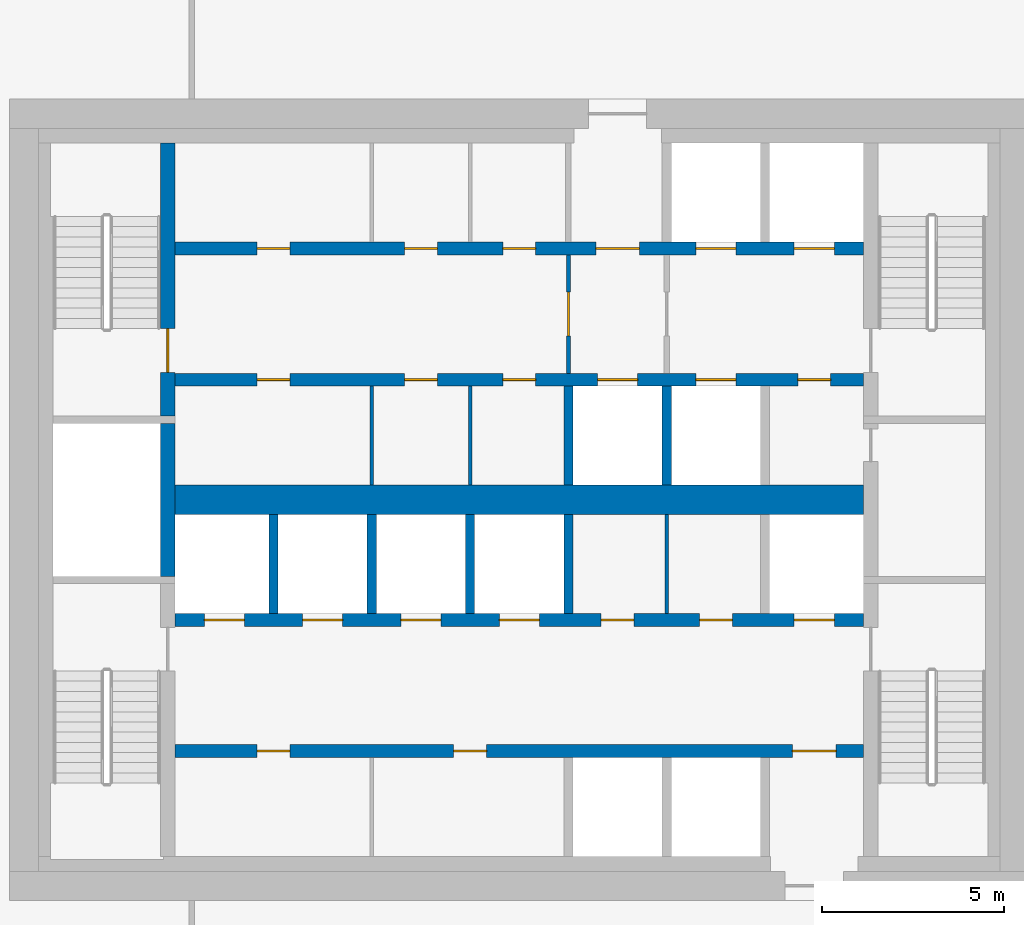
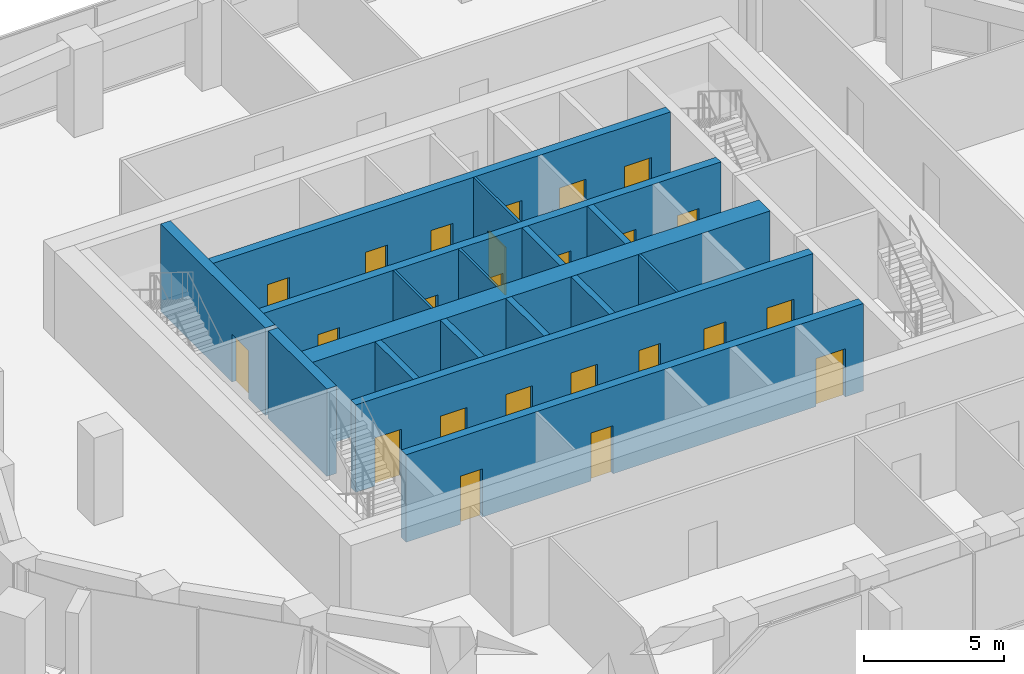
# One storey, part 12 of 18: 24 doors, 17 walls, 24 openings.
"""IFC4 building model written with IfcOpenShell, lengths in metres."""

from ifc_helpers import new_model, si_unit, direction, frame, frame_2d, origin, place, context, subcontext, project, spatial, rectangle, extrude, material, layer, layer_set, type_object, element, fill, save


model = new_model("IFC4")

# Units and contexts
model_context = context("Model", 3, precision=1e-05, world=origin(), true_north=direction((0.0, 1.0)))
body_context = subcontext(model_context, "Body", "Model", "MODEL_VIEW")
ifc_project = project(units=[si_unit("LENGTHUNIT", "METRE"), si_unit("AREAUNIT", "SQUARE_METRE"), si_unit("VOLUMEUNIT", "CUBIC_METRE"), si_unit("PLANEANGLEUNIT", "RADIAN"), si_unit("MASSUNIT", "GRAM", prefix="KILO")], contexts=[model_context])

# Site, building, storey
site_placement = place(None, origin())
site = spatial("IfcSite", under=ifc_project, at=site_placement, CompositionType="ELEMENT")
building_placement = place(site_placement, origin())
building = spatial("IfcBuilding", under=site, at=building_placement, Name="Dongbaek Canopy Tower", CompositionType="ELEMENT")
storey_placement = place(building_placement, frame((0.0, 0.0, 162.800048828125)))
storey = spatial("IfcBuildingStorey", under=building, at=storey_placement, Name="L35", CompositionType="ELEMENT", Elevation=162.800048828125)

# Wall
ifc_material_1 = material(Name="Concrete C60/75", Category="concrete")
ifc_layer_1 = layer(ifc_material_1, 0.800048828125)
ifc_layer_set_1 = layer_set([ifc_layer_1], Name="Core central wall 800 Concrete C60/75")
wall_type_1 = type_object("IfcWallType", Name="Core central wall 800 Concrete C60/75", PredefinedType="SHEAR", material=ifc_layer_set_1)
wall_1_placement = place(storey_placement, frame((-9.449951171875, 0.0, 0.0), z_axis=(0.0, 0.0, 1.0), x_axis=(1.0, 0.0, 0.0)))
element("IfcWall", 1, at=wall_1_placement, inside=storey, type_object=wall_type_1, Name="Core wall", PredefinedType="SHEAR", context=body_context, shape_type="SweptSolid", body=[
    extrude(rectangle(XDim=18.89990234375, YDim=0.800048828125, at=frame_2d((9.449951171875, 0.0))), origin(), (0.0, 0.0, 1.0), 3.820068359375),
])

# Wall, openings, doors
ifc_material_2 = material(Name="Concrete C60/75", Category="concrete")
ifc_layer_2 = layer(ifc_material_2, 0.35009765625)
ifc_layer_set_2 = layer_set([ifc_layer_2], Name="Core lobby wall 350 Concrete C60/75")
wall_type_2 = type_object("IfcWallType", Name="Core lobby wall 350 Concrete C60/75", PredefinedType="SHEAR", material=ifc_layer_set_2)
wall_2_placement = place(storey_placement, frame((-9.449951171875, 6.89990234375, 0.0), z_axis=(0.0, 0.0, 1.0), x_axis=(1.0, 0.0, 0.0)))
wall_2 = element("IfcWall", 2, at=wall_2_placement, inside=storey, type_object=wall_type_2, Name="Core wall", PredefinedType="SHEAR", context=body_context, shape_type="SweptSolid", body=[
    extrude(rectangle(XDim=18.89990234375, YDim=0.35009765625, at=frame_2d((9.449951171875, 0.0))), origin(), (0.0, 0.0, 1.0), 3.820068359375),
])
opening_1_placement = place(wall_2_placement, frame((11.550048828125, 0.0, 0.0)))
opening_1 = element("IfcOpeningElement", 3, at=opening_1_placement, cuts=wall_2, Name="Opening L35-D012", PredefinedType="OPENING", context=body_context, shape_type="SweptSolid", body=[
    extrude(rectangle(XDim=1.199951171875, YDim=2.10009765625, at=frame_2d((0.60009765625, 1.050048828125))), frame((0.0, 0.18505859375, 0.0), z_axis=(0.0, -1.0, 0.0), x_axis=(1.0, 0.0, 0.0)), (0.0, 0.0, 1.0), 0.3701171875),
])
opening_2_placement = place(wall_2_placement, frame((14.300048828125, 0.0, 0.0)))
opening_2 = element("IfcOpeningElement", 4, at=opening_2_placement, cuts=wall_2, Name="Opening L35-D013", PredefinedType="OPENING", context=body_context, shape_type="SweptSolid", body=[
    extrude(rectangle(XDim=1.10009765625, YDim=2.10009765625, at=frame_2d((0.550048828125, 1.050048828125))), frame((0.0, 0.18505859375, 0.0), z_axis=(0.0, -1.0, 0.0), x_axis=(1.0, 0.0, 0.0)), (0.0, 0.0, 1.0), 0.3701171875),
])
opening_3_placement = place(wall_2_placement, frame((17.0, 0.0, 0.0)))
opening_3 = element("IfcOpeningElement", 5, at=opening_3_placement, cuts=wall_2, Name="Opening L35-D014", PredefinedType="OPENING", context=body_context, shape_type="SweptSolid", body=[
    extrude(rectangle(XDim=1.10009765625, YDim=2.10009765625, at=frame_2d((0.550048828125, 1.050048828125))), frame((0.0, 0.18505859375, 0.0), z_axis=(0.0, -1.0, 0.0), x_axis=(1.0, 0.0, 0.0)), (0.0, 0.0, 1.0), 0.3701171875),
])
opening_4_placement = place(wall_2_placement, frame((2.25, 0.0, 0.0)))
opening_4 = element("IfcOpeningElement", 6, at=opening_4_placement, cuts=wall_2, Name="Opening L35-D025", PredefinedType="OPENING", context=body_context, shape_type="SweptSolid", body=[
    extrude(rectangle(XDim=0.89990234375, YDim=2.10009765625, at=frame_2d((0.449951171875, 1.050048828125))), frame((0.0, 0.18505859375, 0.0), z_axis=(0.0, -1.0, 0.0), x_axis=(1.0, 0.0, 0.0)), (0.0, 0.0, 1.0), 0.3701171875),
])
opening_5_placement = place(wall_2_placement, frame((6.300048828125, 0.0, 0.0)))
opening_5 = element("IfcOpeningElement", 7, at=opening_5_placement, cuts=wall_2, Name="Opening L35-D026", PredefinedType="OPENING", context=body_context, shape_type="SweptSolid", body=[
    extrude(rectangle(XDim=0.89990234375, YDim=2.10009765625, at=frame_2d((0.449951171875, 1.050048828125))), frame((0.0, 0.18505859375, 0.0), z_axis=(0.0, -1.0, 0.0), x_axis=(1.0, 0.0, 0.0)), (0.0, 0.0, 1.0), 0.3701171875),
])
opening_6_placement = place(wall_2_placement, frame((9.0, 0.0, 0.0)))
opening_6 = element("IfcOpeningElement", 8, at=opening_6_placement, cuts=wall_2, Name="Opening L35-D027", PredefinedType="OPENING", context=body_context, shape_type="SweptSolid", body=[
    extrude(rectangle(XDim=0.89990234375, YDim=2.10009765625, at=frame_2d((0.449951171875, 1.050048828125))), frame((0.0, 0.18505859375, 0.0), z_axis=(0.0, -1.0, 0.0), x_axis=(1.0, 0.0, 0.0)), (0.0, 0.0, 1.0), 0.3701171875),
])
ifc_material_3 = material(Name="Steel", Category="steel")
door_type_1 = type_object("IfcDoorType", Name="Core room door 900 x 2100", OperationType="SINGLE_SWING_LEFT", PredefinedType="DOOR", material=ifc_material_3)
door_1_placement = place(opening_4_placement, origin())
door_1 = element("IfcDoor", 9, at=door_1_placement, inside=storey, type_object=door_type_1, Name="Door L35-D025", OperationType="SINGLE_SWING_RIGHT", OverallHeight=2.10009765625, OverallWidth=0.89990234375, PredefinedType="DOOR", context=body_context, shape_type="SweptSolid", body=[
    extrude(rectangle(XDim=0.89990234375, YDim=2.10009765625, at=frame_2d((0.449951171875, 1.050048828125))), frame((0.0, 0.02490234375, 0.0), z_axis=(0.0, -1.0, 0.0), x_axis=(1.0, 0.0, 0.0)), (0.0, 0.0, 1.0), 0.050048828125),
])
fill(opening_4, door_1)
door_2_placement = place(opening_5_placement, origin())
door_2 = element("IfcDoor", 10, at=door_2_placement, inside=storey, type_object=door_type_1, Name="Door L35-D026", OperationType="SINGLE_SWING_LEFT", OverallHeight=2.10009765625, OverallWidth=0.89990234375, PredefinedType="DOOR", context=body_context, shape_type="SweptSolid", body=[
    extrude(rectangle(XDim=0.89990234375, YDim=2.10009765625, at=frame_2d((0.449951171875, 1.050048828125))), frame((0.0, 0.02490234375, 0.0), z_axis=(0.0, -1.0, 0.0), x_axis=(1.0, 0.0, 0.0)), (0.0, 0.0, 1.0), 0.050048828125),
])
fill(opening_5, door_2)
door_3_placement = place(opening_6_placement, origin())
door_3 = element("IfcDoor", 11, at=door_3_placement, inside=storey, type_object=door_type_1, Name="Door L35-D027", OperationType="SINGLE_SWING_RIGHT", OverallHeight=2.10009765625, OverallWidth=0.89990234375, PredefinedType="DOOR", context=body_context, shape_type="SweptSolid", body=[
    extrude(rectangle(XDim=0.89990234375, YDim=2.10009765625, at=frame_2d((0.449951171875, 1.050048828125))), frame((0.0, 0.02490234375, 0.0), z_axis=(0.0, -1.0, 0.0), x_axis=(1.0, 0.0, 0.0)), (0.0, 0.0, 1.0), 0.050048828125),
])
fill(opening_6, door_3)
ifc_material_4 = material(Name="Steel", Category="steel")
door_type_2 = type_object("IfcDoorType", Name="Fire lobby door 1200 x 2100", OperationType="SINGLE_SWING_LEFT", PredefinedType="DOOR", material=ifc_material_4)
door_4_placement = place(opening_1_placement, origin())
door_4 = element("IfcDoor", 12, at=door_4_placement, inside=storey, type_object=door_type_2, Name="Door L35-D012", OperationType="SINGLE_SWING_LEFT", OverallHeight=2.10009765625, OverallWidth=1.199951171875, PredefinedType="DOOR", context=body_context, shape_type="SweptSolid", body=[
    extrude(rectangle(XDim=1.199951171875, YDim=2.10009765625, at=frame_2d((0.60009765625, 1.050048828125))), frame((0.0, 0.02490234375, 0.0), z_axis=(0.0, -1.0, 0.0), x_axis=(1.0, 0.0, 0.0)), (0.0, 0.0, 1.0), 0.050048828125),
])
fill(opening_1, door_4)
ifc_material_5 = material(Name="Stainless steel", Category="steel")
door_type_3 = type_object("IfcDoorType", Name="Lift landing door 1100 x 2100", OperationType="DOUBLE_DOOR_SLIDING", PredefinedType="DOOR", material=ifc_material_5)
door_5_placement = place(opening_2_placement, origin())
door_5 = element("IfcDoor", 13, at=door_5_placement, inside=storey, type_object=door_type_3, Name="Landing door FF1", OperationType="DOUBLE_DOOR_SLIDING", OverallHeight=2.10009765625, OverallWidth=1.10009765625, PredefinedType="DOOR", context=body_context, shape_type="SweptSolid", body=[
    extrude(rectangle(XDim=1.10009765625, YDim=2.10009765625, at=frame_2d((0.550048828125, 1.050048828125))), frame((0.0, 0.02490234375, 0.0), z_axis=(0.0, -1.0, 0.0), x_axis=(1.0, 0.0, 0.0)), (0.0, 0.0, 1.0), 0.050048828125),
])
fill(opening_2, door_5)
door_6_placement = place(opening_3_placement, origin())
door_6 = element("IfcDoor", 14, at=door_6_placement, inside=storey, type_object=door_type_3, Name="Landing door FF2", OperationType="DOUBLE_DOOR_SLIDING", OverallHeight=2.10009765625, OverallWidth=1.10009765625, PredefinedType="DOOR", context=body_context, shape_type="SweptSolid", body=[
    extrude(rectangle(XDim=1.10009765625, YDim=2.10009765625, at=frame_2d((0.550048828125, 1.050048828125))), frame((0.0, 0.02490234375, 0.0), z_axis=(0.0, -1.0, 0.0), x_axis=(1.0, 0.0, 0.0)), (0.0, 0.0, 1.0), 0.050048828125),
])
fill(opening_3, door_6)

wall_3_placement = place(storey_placement, frame((9.449951171875, 3.300048828125, 0.0), z_axis=(0.0, 0.0, 1.0), x_axis=(-1.0, 0.0, 0.0)))
wall_3 = element("IfcWall", 15, at=wall_3_placement, inside=storey, type_object=wall_type_2, Name="Core wall", PredefinedType="SHEAR", context=body_context, shape_type="SweptSolid", body=[
    extrude(rectangle(XDim=18.89990234375, YDim=0.35009765625, at=frame_2d((9.449951171875, 0.0))), origin(), (0.0, 0.0, 1.0), 3.820068359375),
])
opening_7_placement = place(wall_3_placement, frame((6.199951171875, 0.0, 0.0)))
opening_7 = element("IfcOpeningElement", 16, at=opening_7_placement, cuts=wall_3, Name="Opening L35-D015", PredefinedType="OPENING", context=body_context, shape_type="SweptSolid", body=[
    extrude(rectangle(XDim=1.10009765625, YDim=2.10009765625, at=frame_2d((0.550048828125, 1.050048828125))), frame((0.0, 0.18505859375, 0.0), z_axis=(0.0, -1.0, 0.0), x_axis=(1.0, 0.0, 0.0)), (0.0, 0.0, 1.0), 0.3701171875),
])
opening_8_placement = place(wall_3_placement, frame((3.5, 0.0, 0.0)))
opening_8 = element("IfcOpeningElement", 17, at=opening_8_placement, cuts=wall_3, Name="Opening L35-D016", PredefinedType="OPENING", context=body_context, shape_type="SweptSolid", body=[
    extrude(rectangle(XDim=1.10009765625, YDim=2.10009765625, at=frame_2d((0.550048828125, 1.050048828125))), frame((0.0, 0.18505859375, 0.0), z_axis=(0.0, -1.0, 0.0), x_axis=(1.0, 0.0, 0.0)), (0.0, 0.0, 1.0), 0.3701171875),
])
opening_9_placement = place(wall_3_placement, frame((0.89990234375, 0.0, 0.0)))
opening_9 = element("IfcOpeningElement", 18, at=opening_9_placement, cuts=wall_3, Name="Opening L35-D017", PredefinedType="OPENING", context=body_context, shape_type="SweptSolid", body=[
    extrude(rectangle(XDim=0.89990234375, YDim=2.10009765625, at=frame_2d((0.449951171875, 1.050048828125))), frame((0.0, 0.18505859375, 0.0), z_axis=(0.0, -1.0, 0.0), x_axis=(1.0, 0.0, 0.0)), (0.0, 0.0, 1.0), 0.3701171875),
])
opening_10_placement = place(wall_3_placement, frame((15.75, 0.0, 0.0)))
opening_10 = element("IfcOpeningElement", 19, at=opening_10_placement, cuts=wall_3, Name="Opening L35-D028", PredefinedType="OPENING", context=body_context, shape_type="SweptSolid", body=[
    extrude(rectangle(XDim=0.89990234375, YDim=2.10009765625, at=frame_2d((0.449951171875, 1.050048828125))), frame((0.0, 0.18505859375, 0.0), z_axis=(0.0, -1.0, 0.0), x_axis=(1.0, 0.0, 0.0)), (0.0, 0.0, 1.0), 0.3701171875),
])
opening_11_placement = place(wall_3_placement, frame((11.699951171875, 0.0, 0.0)))
opening_11 = element("IfcOpeningElement", 20, at=opening_11_placement, cuts=wall_3, Name="Opening L35-D029", PredefinedType="OPENING", context=body_context, shape_type="SweptSolid", body=[
    extrude(rectangle(XDim=0.89990234375, YDim=2.10009765625, at=frame_2d((0.449951171875, 1.050048828125))), frame((0.0, 0.18505859375, 0.0), z_axis=(0.0, -1.0, 0.0), x_axis=(1.0, 0.0, 0.0)), (0.0, 0.0, 1.0), 0.3701171875),
])
opening_12_placement = place(wall_3_placement, frame((9.0, 0.0, 0.0)))
opening_12 = element("IfcOpeningElement", 21, at=opening_12_placement, cuts=wall_3, Name="Opening L35-D030", PredefinedType="OPENING", context=body_context, shape_type="SweptSolid", body=[
    extrude(rectangle(XDim=0.89990234375, YDim=2.10009765625, at=frame_2d((0.449951171875, 1.050048828125))), frame((0.0, 0.18505859375, 0.0), z_axis=(0.0, -1.0, 0.0), x_axis=(1.0, 0.0, 0.0)), (0.0, 0.0, 1.0), 0.3701171875),
])
door_7_placement = place(opening_9_placement, origin())
door_7 = element("IfcDoor", 22, at=door_7_placement, inside=storey, type_object=door_type_1, Name="Door L35-D017", OperationType="SINGLE_SWING_LEFT", OverallHeight=2.10009765625, OverallWidth=0.89990234375, PredefinedType="DOOR", context=body_context, shape_type="SweptSolid", body=[
    extrude(rectangle(XDim=0.89990234375, YDim=2.10009765625, at=frame_2d((0.449951171875, 1.050048828125))), frame((0.0, 0.02490234375, 0.0), z_axis=(0.0, -1.0, 0.0), x_axis=(1.0, 0.0, 0.0)), (0.0, 0.0, 1.0), 0.050048828125),
])
fill(opening_9, door_7)
door_8_placement = place(opening_10_placement, origin())
door_8 = element("IfcDoor", 23, at=door_8_placement, inside=storey, type_object=door_type_1, Name="Door L35-D028", OperationType="SINGLE_SWING_LEFT", OverallHeight=2.10009765625, OverallWidth=0.89990234375, PredefinedType="DOOR", context=body_context, shape_type="SweptSolid", body=[
    extrude(rectangle(XDim=0.89990234375, YDim=2.10009765625, at=frame_2d((0.449951171875, 1.050048828125))), frame((0.0, 0.02490234375, 0.0), z_axis=(0.0, -1.0, 0.0), x_axis=(1.0, 0.0, 0.0)), (0.0, 0.0, 1.0), 0.050048828125),
])
fill(opening_10, door_8)
door_9_placement = place(opening_11_placement, origin())
door_9 = element("IfcDoor", 24, at=door_9_placement, inside=storey, type_object=door_type_1, Name="Door L35-D029", OperationType="SINGLE_SWING_RIGHT", OverallHeight=2.10009765625, OverallWidth=0.89990234375, PredefinedType="DOOR", context=body_context, shape_type="SweptSolid", body=[
    extrude(rectangle(XDim=0.89990234375, YDim=2.10009765625, at=frame_2d((0.449951171875, 1.050048828125))), frame((0.0, 0.02490234375, 0.0), z_axis=(0.0, -1.0, 0.0), x_axis=(1.0, 0.0, 0.0)), (0.0, 0.0, 1.0), 0.050048828125),
])
fill(opening_11, door_9)
door_10_placement = place(opening_12_placement, origin())
door_10 = element("IfcDoor", 25, at=door_10_placement, inside=storey, type_object=door_type_1, Name="Door L35-D030", OperationType="SINGLE_SWING_LEFT", OverallHeight=2.10009765625, OverallWidth=0.89990234375, PredefinedType="DOOR", context=body_context, shape_type="SweptSolid", body=[
    extrude(rectangle(XDim=0.89990234375, YDim=2.10009765625, at=frame_2d((0.449951171875, 1.050048828125))), frame((0.0, 0.02490234375, 0.0), z_axis=(0.0, -1.0, 0.0), x_axis=(1.0, 0.0, 0.0)), (0.0, 0.0, 1.0), 0.050048828125),
])
fill(opening_12, door_10)
door_11_placement = place(opening_7_placement, origin())
door_11 = element("IfcDoor", 26, at=door_11_placement, inside=storey, type_object=door_type_3, Name="Landing door SV1", OperationType="DOUBLE_DOOR_SLIDING", OverallHeight=2.10009765625, OverallWidth=1.10009765625, PredefinedType="DOOR", context=body_context, shape_type="SweptSolid", body=[
    extrude(rectangle(XDim=1.10009765625, YDim=2.10009765625, at=frame_2d((0.550048828125, 1.050048828125))), frame((0.0, 0.02490234375, 0.0), z_axis=(0.0, -1.0, 0.0), x_axis=(1.0, 0.0, 0.0)), (0.0, 0.0, 1.0), 0.050048828125),
])
fill(opening_7, door_11)
door_12_placement = place(opening_8_placement, origin())
door_12 = element("IfcDoor", 27, at=door_12_placement, inside=storey, type_object=door_type_3, Name="Landing door FF3", OperationType="DOUBLE_DOOR_SLIDING", OverallHeight=2.10009765625, OverallWidth=1.10009765625, PredefinedType="DOOR", context=body_context, shape_type="SweptSolid", body=[
    extrude(rectangle(XDim=1.10009765625, YDim=2.10009765625, at=frame_2d((0.550048828125, 1.050048828125))), frame((0.0, 0.02490234375, 0.0), z_axis=(0.0, -1.0, 0.0), x_axis=(1.0, 0.0, 0.0)), (0.0, 0.0, 1.0), 0.050048828125),
])
fill(opening_8, door_12)

wall_4_placement = place(storey_placement, frame((-9.449951171875, -3.300048828125, 0.0), z_axis=(0.0, 0.0, 1.0), x_axis=(1.0, 0.0, 0.0)))
wall_4 = element("IfcWall", 28, at=wall_4_placement, inside=storey, type_object=wall_type_2, Name="Core wall", PredefinedType="SHEAR", context=body_context, shape_type="SweptSolid", body=[
    extrude(rectangle(XDim=18.89990234375, YDim=0.35009765625, at=frame_2d((9.449951171875, 0.0))), origin(), (0.0, 0.0, 1.0), 3.820068359375),
])
opening_13_placement = place(wall_4_placement, frame((0.800048828125, 0.0, 0.0)))
opening_13 = element("IfcOpeningElement", 29, at=opening_13_placement, cuts=wall_4, Name="Opening L35-D018", PredefinedType="OPENING", context=body_context, shape_type="SweptSolid", body=[
    extrude(rectangle(XDim=1.10009765625, YDim=2.10009765625, at=frame_2d((0.550048828125, 1.050048828125))), frame((0.0, 0.18505859375, 0.0), z_axis=(0.0, -1.0, 0.0), x_axis=(1.0, 0.0, 0.0)), (0.0, 0.0, 1.0), 0.3701171875),
])
opening_14_placement = place(wall_4_placement, frame((3.5, 0.0, 0.0)))
opening_14 = element("IfcOpeningElement", 30, at=opening_14_placement, cuts=wall_4, Name="Opening L35-D019", PredefinedType="OPENING", context=body_context, shape_type="SweptSolid", body=[
    extrude(rectangle(XDim=1.10009765625, YDim=2.10009765625, at=frame_2d((0.550048828125, 1.050048828125))), frame((0.0, 0.18505859375, 0.0), z_axis=(0.0, -1.0, 0.0), x_axis=(1.0, 0.0, 0.0)), (0.0, 0.0, 1.0), 0.3701171875),
])
opening_15_placement = place(wall_4_placement, frame((6.199951171875, 0.0, 0.0)))
opening_15 = element("IfcOpeningElement", 31, at=opening_15_placement, cuts=wall_4, Name="Opening L35-D020", PredefinedType="OPENING", context=body_context, shape_type="SweptSolid", body=[
    extrude(rectangle(XDim=1.10009765625, YDim=2.10009765625, at=frame_2d((0.550048828125, 1.050048828125))), frame((0.0, 0.18505859375, 0.0), z_axis=(0.0, -1.0, 0.0), x_axis=(1.0, 0.0, 0.0)), (0.0, 0.0, 1.0), 0.3701171875),
])
opening_16_placement = place(wall_4_placement, frame((8.89990234375, 0.0, 0.0)))
opening_16 = element("IfcOpeningElement", 32, at=opening_16_placement, cuts=wall_4, Name="Opening L35-D021", PredefinedType="OPENING", context=body_context, shape_type="SweptSolid", body=[
    extrude(rectangle(XDim=1.10009765625, YDim=2.10009765625, at=frame_2d((0.550048828125, 1.050048828125))), frame((0.0, 0.18505859375, 0.0), z_axis=(0.0, -1.0, 0.0), x_axis=(1.0, 0.0, 0.0)), (0.0, 0.0, 1.0), 0.3701171875),
])
opening_17_placement = place(wall_4_placement, frame((17.0, 0.0, 0.0)))
opening_17 = element("IfcOpeningElement", 33, at=opening_17_placement, cuts=wall_4, Name="Opening L35-D022", PredefinedType="OPENING", context=body_context, shape_type="SweptSolid", body=[
    extrude(rectangle(XDim=1.10009765625, YDim=2.10009765625, at=frame_2d((0.550048828125, 1.050048828125))), frame((0.0, 0.18505859375, 0.0), z_axis=(0.0, -1.0, 0.0), x_axis=(1.0, 0.0, 0.0)), (0.0, 0.0, 1.0), 0.3701171875),
])
opening_18_placement = place(wall_4_placement, frame((11.699951171875, 0.0, 0.0)))
opening_18 = element("IfcOpeningElement", 34, at=opening_18_placement, cuts=wall_4, Name="Opening L35-D031", PredefinedType="OPENING", context=body_context, shape_type="SweptSolid", body=[
    extrude(rectangle(XDim=0.89990234375, YDim=2.10009765625, at=frame_2d((0.449951171875, 1.050048828125))), frame((0.0, 0.18505859375, 0.0), z_axis=(0.0, -1.0, 0.0), x_axis=(1.0, 0.0, 0.0)), (0.0, 0.0, 1.0), 0.3701171875),
])
opening_19_placement = place(wall_4_placement, frame((14.39990234375, 0.0, 0.0)))
opening_19 = element("IfcOpeningElement", 35, at=opening_19_placement, cuts=wall_4, Name="Opening L35-D032", PredefinedType="OPENING", context=body_context, shape_type="SweptSolid", body=[
    extrude(rectangle(XDim=0.89990234375, YDim=2.10009765625, at=frame_2d((0.449951171875, 1.050048828125))), frame((0.0, 0.18505859375, 0.0), z_axis=(0.0, -1.0, 0.0), x_axis=(1.0, 0.0, 0.0)), (0.0, 0.0, 1.0), 0.3701171875),
])
door_13_placement = place(opening_18_placement, origin())
door_13 = element("IfcDoor", 36, at=door_13_placement, inside=storey, type_object=door_type_1, Name="Door L35-D031", OperationType="SINGLE_SWING_RIGHT", OverallHeight=2.10009765625, OverallWidth=0.89990234375, PredefinedType="DOOR", context=body_context, shape_type="SweptSolid", body=[
    extrude(rectangle(XDim=0.89990234375, YDim=2.10009765625, at=frame_2d((0.449951171875, 1.050048828125))), frame((0.0, 0.02490234375, 0.0), z_axis=(0.0, -1.0, 0.0), x_axis=(1.0, 0.0, 0.0)), (0.0, 0.0, 1.0), 0.050048828125),
])
fill(opening_18, door_13)
door_14_placement = place(opening_19_placement, origin())
door_14 = element("IfcDoor", 37, at=door_14_placement, inside=storey, type_object=door_type_1, Name="Door L35-D032", OperationType="SINGLE_SWING_LEFT", OverallHeight=2.10009765625, OverallWidth=0.89990234375, PredefinedType="DOOR", context=body_context, shape_type="SweptSolid", body=[
    extrude(rectangle(XDim=0.89990234375, YDim=2.10009765625, at=frame_2d((0.449951171875, 1.050048828125))), frame((0.0, 0.02490234375, 0.0), z_axis=(0.0, -1.0, 0.0), x_axis=(1.0, 0.0, 0.0)), (0.0, 0.0, 1.0), 0.050048828125),
])
fill(opening_19, door_14)
door_15_placement = place(opening_13_placement, origin())
door_15 = element("IfcDoor", 38, at=door_15_placement, inside=storey, type_object=door_type_3, Name="Landing door MR1", OperationType="DOUBLE_DOOR_SLIDING", OverallHeight=2.10009765625, OverallWidth=1.10009765625, PredefinedType="DOOR", context=body_context, shape_type="SweptSolid", body=[
    extrude(rectangle(XDim=1.10009765625, YDim=2.10009765625, at=frame_2d((0.550048828125, 1.050048828125))), frame((0.0, 0.02490234375, 0.0), z_axis=(0.0, -1.0, 0.0), x_axis=(1.0, 0.0, 0.0)), (0.0, 0.0, 1.0), 0.050048828125),
])
fill(opening_13, door_15)
door_16_placement = place(opening_14_placement, origin())
door_16 = element("IfcDoor", 39, at=door_16_placement, inside=storey, type_object=door_type_3, Name="Landing door MR2", OperationType="DOUBLE_DOOR_SLIDING", OverallHeight=2.10009765625, OverallWidth=1.10009765625, PredefinedType="DOOR", context=body_context, shape_type="SweptSolid", body=[
    extrude(rectangle(XDim=1.10009765625, YDim=2.10009765625, at=frame_2d((0.550048828125, 1.050048828125))), frame((0.0, 0.02490234375, 0.0), z_axis=(0.0, -1.0, 0.0), x_axis=(1.0, 0.0, 0.0)), (0.0, 0.0, 1.0), 0.050048828125),
])
fill(opening_14, door_16)
door_17_placement = place(opening_15_placement, origin())
door_17 = element("IfcDoor", 40, at=door_17_placement, inside=storey, type_object=door_type_3, Name="Landing door MR3", OperationType="DOUBLE_DOOR_SLIDING", OverallHeight=2.10009765625, OverallWidth=1.10009765625, PredefinedType="DOOR", context=body_context, shape_type="SweptSolid", body=[
    extrude(rectangle(XDim=1.10009765625, YDim=2.10009765625, at=frame_2d((0.550048828125, 1.050048828125))), frame((0.0, 0.02490234375, 0.0), z_axis=(0.0, -1.0, 0.0), x_axis=(1.0, 0.0, 0.0)), (0.0, 0.0, 1.0), 0.050048828125),
])
fill(opening_15, door_17)
door_18_placement = place(opening_16_placement, origin())
door_18 = element("IfcDoor", 41, at=door_18_placement, inside=storey, type_object=door_type_3, Name="Landing door MR4", OperationType="DOUBLE_DOOR_SLIDING", OverallHeight=2.10009765625, OverallWidth=1.10009765625, PredefinedType="DOOR", context=body_context, shape_type="SweptSolid", body=[
    extrude(rectangle(XDim=1.10009765625, YDim=2.10009765625, at=frame_2d((0.550048828125, 1.050048828125))), frame((0.0, 0.02490234375, 0.0), z_axis=(0.0, -1.0, 0.0), x_axis=(1.0, 0.0, 0.0)), (0.0, 0.0, 1.0), 0.050048828125),
])
fill(opening_16, door_18)
door_19_placement = place(opening_17_placement, origin())
door_19 = element("IfcDoor", 42, at=door_19_placement, inside=storey, type_object=door_type_3, Name="Landing door SV2", OperationType="DOUBLE_DOOR_SLIDING", OverallHeight=2.10009765625, OverallWidth=1.10009765625, PredefinedType="DOOR", context=body_context, shape_type="SweptSolid", body=[
    extrude(rectangle(XDim=1.10009765625, YDim=2.10009765625, at=frame_2d((0.550048828125, 1.050048828125))), frame((0.0, 0.02490234375, 0.0), z_axis=(0.0, -1.0, 0.0), x_axis=(1.0, 0.0, 0.0)), (0.0, 0.0, 1.0), 0.050048828125),
])
fill(opening_17, door_19)

wall_5_placement = place(storey_placement, frame((9.449951171875, -6.89990234375, 0.0), z_axis=(0.0, 0.0, 1.0), x_axis=(-1.0, 0.0, 0.0)))
wall_5 = element("IfcWall", 43, at=wall_5_placement, inside=storey, type_object=wall_type_2, Name="Core wall", PredefinedType="SHEAR", context=body_context, shape_type="SweptSolid", body=[
    extrude(rectangle(XDim=18.89990234375, YDim=0.35009765625, at=frame_2d((9.449951171875, 0.0))), origin(), (0.0, 0.0, 1.0), 3.820068359375),
])
opening_20_placement = place(wall_5_placement, frame((0.75, 0.0, 0.0)))
opening_20 = element("IfcOpeningElement", 44, at=opening_20_placement, cuts=wall_5, Name="Opening L35-D024", PredefinedType="OPENING", context=body_context, shape_type="SweptSolid", body=[
    extrude(rectangle(XDim=1.199951171875, YDim=2.10009765625, at=frame_2d((0.60009765625, 1.050048828125))), frame((0.0, 0.18505859375, 0.0), z_axis=(0.0, -1.0, 0.0), x_axis=(1.0, 0.0, 0.0)), (0.0, 0.0, 1.0), 0.3701171875),
])
opening_21_placement = place(wall_5_placement, frame((15.75, 0.0, 0.0)))
opening_21 = element("IfcOpeningElement", 45, at=opening_21_placement, cuts=wall_5, Name="Opening L35-D033", PredefinedType="OPENING", context=body_context, shape_type="SweptSolid", body=[
    extrude(rectangle(XDim=0.89990234375, YDim=2.10009765625, at=frame_2d((0.449951171875, 1.050048828125))), frame((0.0, 0.18505859375, 0.0), z_axis=(0.0, -1.0, 0.0), x_axis=(1.0, 0.0, 0.0)), (0.0, 0.0, 1.0), 0.3701171875),
])
opening_22_placement = place(wall_5_placement, frame((10.35009765625, 0.0, 0.0)))
opening_22 = element("IfcOpeningElement", 46, at=opening_22_placement, cuts=wall_5, Name="Opening L35-D034", PredefinedType="OPENING", context=body_context, shape_type="SweptSolid", body=[
    extrude(rectangle(XDim=0.89990234375, YDim=2.10009765625, at=frame_2d((0.449951171875, 1.050048828125))), frame((0.0, 0.18505859375, 0.0), z_axis=(0.0, -1.0, 0.0), x_axis=(1.0, 0.0, 0.0)), (0.0, 0.0, 1.0), 0.3701171875),
])
door_20_placement = place(opening_21_placement, origin())
door_20 = element("IfcDoor", 47, at=door_20_placement, inside=storey, type_object=door_type_1, Name="Door L35-D033", OperationType="SINGLE_SWING_RIGHT", OverallHeight=2.10009765625, OverallWidth=0.89990234375, PredefinedType="DOOR", context=body_context, shape_type="SweptSolid", body=[
    extrude(rectangle(XDim=0.89990234375, YDim=2.10009765625, at=frame_2d((0.449951171875, 1.050048828125))), frame((0.0, 0.02490234375, 0.0), z_axis=(0.0, -1.0, 0.0), x_axis=(1.0, 0.0, 0.0)), (0.0, 0.0, 1.0), 0.050048828125),
])
fill(opening_21, door_20)
door_21_placement = place(opening_22_placement, origin())
door_21 = element("IfcDoor", 48, at=door_21_placement, inside=storey, type_object=door_type_1, Name="Door L35-D034", OperationType="SINGLE_SWING_LEFT", OverallHeight=2.10009765625, OverallWidth=0.89990234375, PredefinedType="DOOR", context=body_context, shape_type="SweptSolid", body=[
    extrude(rectangle(XDim=0.89990234375, YDim=2.10009765625, at=frame_2d((0.449951171875, 1.050048828125))), frame((0.0, 0.02490234375, 0.0), z_axis=(0.0, -1.0, 0.0), x_axis=(1.0, 0.0, 0.0)), (0.0, 0.0, 1.0), 0.050048828125),
])
fill(opening_22, door_21)
door_22_placement = place(opening_20_placement, origin())
door_22 = element("IfcDoor", 49, at=door_22_placement, inside=storey, type_object=door_type_2, Name="Door L35-D024", OperationType="SINGLE_SWING_LEFT", OverallHeight=2.10009765625, OverallWidth=1.199951171875, PredefinedType="DOOR", context=body_context, shape_type="SweptSolid", body=[
    extrude(rectangle(XDim=1.199951171875, YDim=2.10009765625, at=frame_2d((0.60009765625, 1.050048828125))), frame((0.0, 0.02490234375, 0.0), z_axis=(0.0, -1.0, 0.0), x_axis=(1.0, 0.0, 0.0)), (0.0, 0.0, 1.0), 0.050048828125),
])
fill(opening_20, door_22)

# Walls
ifc_material_6 = material(Name="Concrete C40/50", Category="concrete")
ifc_layer_3 = layer(ifc_material_6, 0.25)
ifc_layer_set_3 = layer_set([ifc_layer_3], Name="Lift shaft wall 250 Concrete C40/50")
wall_type_3 = type_object("IfcWallType", Name="Lift shaft wall 250 Concrete C40/50", PredefinedType="SOLIDWALL", material=ifc_layer_set_3)
for number, where, z_axis, x_axis, name in (
    (50, (4.050048828125, 0.39990234375, 0.0), (0.0, 0.0, 1.0), (0.0, 1.0, 0.0), "Lift shaft wall"),
    (51, (1.35009765625, -3.125, 0.0), (0.0, 0.0, 1.0), (0.0, 1.0, 0.0), "Lift shaft wall"),
    (52, (1.35009765625, 0.39990234375, 0.0), (0.0, 0.0, 1.0), (0.0, 1.0, 0.0), "Lift shaft wall"),
    (53, (-1.35009765625, -3.125, 0.0), (0.0, 0.0, 1.0), (0.0, 1.0, 0.0), "Lift shaft wall"),
    (54, (-4.050048828125, -3.125, 0.0), (0.0, 0.0, 1.0), (0.0, 1.0, 0.0), "Lift shaft wall"),
    (55, (-6.75, -3.125, 0.0), (0.0, 0.0, 1.0), (0.0, 1.0, 0.0), "Lift shaft wall"),
):
    element("IfcWall", number, at=place(storey_placement, frame(where, z_axis=z_axis, x_axis=x_axis)), inside=storey, type_object=wall_type_3, Name=name, PredefinedType="SOLIDWALL", context=body_context, shape_type="SweptSolid", body=[
        extrude(rectangle(XDim=2.72509765625, YDim=0.25, at=frame_2d((1.362548828125, 0.0))), origin(), (0.0, 0.0, 1.0), 3.820068359375),
    ])
ifc_material_7 = material(Name="Gypsum board partition, steel stud, 2 x 12.5 mm board", Category="steel")
ifc_layer_4 = layer(ifc_material_7, 0.10009765625)
ifc_layer_set_4 = layer_set([ifc_layer_4], Name="Partition 100 gypsum board")
wall_type_4 = type_object("IfcWallType", Name="Partition 100 gypsum board", PredefinedType="PARTITIONING", material=ifc_layer_set_4)
wall_6_placement = place(storey_placement, frame((4.050048828125, -3.125, 0.0), z_axis=(0.0, 0.0, 1.0), x_axis=(0.0, 1.0, 0.0)))
element("IfcWall", 56, at=wall_6_placement, inside=storey, type_object=wall_type_4, Name="Core partition", PredefinedType="PARTITIONING", context=body_context, shape_type="SweptSolid", body=[
    extrude(rectangle(XDim=2.72509765625, YDim=0.10009765625, at=frame_2d((1.362548828125, 0.0))), origin(), (0.0, 0.0, 1.0), 3.820068359375),
])

# Wall, opening, door
wall_7_placement = place(storey_placement, frame((1.35009765625, 6.72509765625, 0.0), z_axis=(0.0, 0.0, 1.0), x_axis=(0.0, -1.0, 0.0)))
wall_7 = element("IfcWall", 57, at=wall_7_placement, inside=storey, type_object=wall_type_4, Name="Core partition", PredefinedType="PARTITIONING", context=body_context, shape_type="SweptSolid", body=[
    extrude(rectangle(XDim=3.25, YDim=0.10009765625, at=frame_2d((1.625, 0.0))), origin(), (0.0, 0.0, 1.0), 3.820068359375),
])
opening_23_placement = place(wall_7_placement, frame((1.02490234375, 0.0, 0.0)))
opening_23 = element("IfcOpeningElement", 58, at=opening_23_placement, cuts=wall_7, Name="Opening L35-D039", PredefinedType="OPENING", context=body_context, shape_type="SweptSolid", body=[
    extrude(rectangle(XDim=1.199951171875, YDim=2.10009765625, at=frame_2d((0.60009765625, 1.050048828125))), frame((0.0, 0.06005859375, 0.0), z_axis=(0.0, -1.0, 0.0), x_axis=(1.0, 0.0, 0.0)), (0.0, 0.0, 1.0), 0.1201171875),
])
door_23_placement = place(opening_23_placement, origin())
door_23 = element("IfcDoor", 59, at=door_23_placement, inside=storey, type_object=door_type_2, Name="Door L35-D039", OperationType="SINGLE_SWING_LEFT", OverallHeight=2.10009765625, OverallWidth=1.199951171875, PredefinedType="DOOR", context=body_context, shape_type="SweptSolid", body=[
    extrude(rectangle(XDim=1.199951171875, YDim=2.10009765625, at=frame_2d((0.60009765625, 1.050048828125))), frame((0.0, 0.02490234375, 0.0), z_axis=(0.0, -1.0, 0.0), x_axis=(1.0, 0.0, 0.0)), (0.0, 0.0, 1.0), 0.050048828125),
])
fill(opening_23, door_23)

# Walls
for number, where, z_axis, x_axis, name in (
    (60, (-1.35009765625, 0.39990234375, 0.0), (0.0, 0.0, 1.0), (0.0, 1.0, 0.0), "Core partition"),
    (61, (-4.050048828125, 0.39990234375, 0.0), (0.0, 0.0, 1.0), (0.0, 1.0, 0.0), "Core partition"),
):
    element("IfcWall", number, at=place(storey_placement, frame(where, z_axis=z_axis, x_axis=x_axis)), inside=storey, type_object=wall_type_4, Name=name, PredefinedType="PARTITIONING", context=body_context, shape_type="SweptSolid", body=[
        extrude(rectangle(XDim=2.72509765625, YDim=0.10009765625, at=frame_2d((1.362548828125, 0.0))), origin(), (0.0, 0.0, 1.0), 3.820068359375),
    ])
ifc_material_8 = material(Name="Concrete C60/75", Category="concrete")
ifc_layer_5 = layer(ifc_material_8, 0.39990234375)
ifc_layer_set_5 = layer_set([ifc_layer_5], Name="Stair wall 400 Concrete C60/75")
wall_type_5 = type_object("IfcWallType", Name="Stair wall 400 Concrete C60/75", PredefinedType="SHEAR", material=ifc_layer_set_5)
wall_8_placement = place(storey_placement, frame((-9.64990234375, -2.10009765625, 0.0), z_axis=(0.0, 0.0, 1.0), x_axis=(0.0, 1.0, 0.0)))
element("IfcWall", 62, at=wall_8_placement, inside=storey, type_object=wall_type_5, Name="Stair wall", PredefinedType="SHEAR", context=body_context, shape_type="SweptSolid", body=[
    extrude(rectangle(XDim=4.2001953125, YDim=0.39990234375, at=frame_2d((2.10009765625, 0.0))), origin(), (0.0, 0.0, 1.0), 3.820068359375),
])

# Wall, opening, door
wall_9_placement = place(storey_placement, frame((-9.64990234375, 2.300048828125, 0.0), z_axis=(0.0, 0.0, 1.0), x_axis=(0.0, 1.0, 0.0)))
wall_9 = element("IfcWall", 63, at=wall_9_placement, inside=storey, type_object=wall_type_5, Name="Stair wall", PredefinedType="SHEAR", context=body_context, shape_type="SweptSolid", body=[
    extrude(rectangle(XDim=7.5, YDim=0.39990234375, at=frame_2d((3.75, 0.0))), origin(), (0.0, 0.0, 1.0), 3.820068359375),
])
opening_24_placement = place(wall_9_placement, frame((1.199951171875, 0.0, 0.0)))
opening_24 = element("IfcOpeningElement", 64, at=opening_24_placement, cuts=wall_9, Name="Opening L35-D036", PredefinedType="OPENING", context=body_context, shape_type="SweptSolid", body=[
    extrude(rectangle(XDim=1.199951171875, YDim=2.10009765625, at=frame_2d((0.60009765625, 1.050048828125))), frame((0.0, 0.2099609375, 0.0), z_axis=(0.0, -1.0, 0.0), x_axis=(1.0, 0.0, 0.0)), (0.0, 0.0, 1.0), 0.419921875),
])
ifc_material_9 = material(Name="Steel", Category="steel")
door_type_4 = type_object("IfcDoorType", Name="Stair door 1200 x 2100", OperationType="SINGLE_SWING_LEFT", PredefinedType="DOOR", material=ifc_material_9)
door_24_placement = place(opening_24_placement, origin())
door_24 = element("IfcDoor", 65, at=door_24_placement, inside=storey, type_object=door_type_4, Name="Stair C door", OperationType="SINGLE_SWING_RIGHT", OverallHeight=2.10009765625, OverallWidth=1.199951171875, PredefinedType="DOOR", context=body_context, shape_type="SweptSolid", body=[
    extrude(rectangle(XDim=1.199951171875, YDim=2.10009765625, at=frame_2d((0.60009765625, 1.050048828125))), frame((0.0, 0.02490234375, 0.0), z_axis=(0.0, -1.0, 0.0), x_axis=(1.0, 0.0, 0.0)), (0.0, 0.0, 1.0), 0.050048828125),
])
fill(opening_24, door_24)

save(model, "model.ifc")
